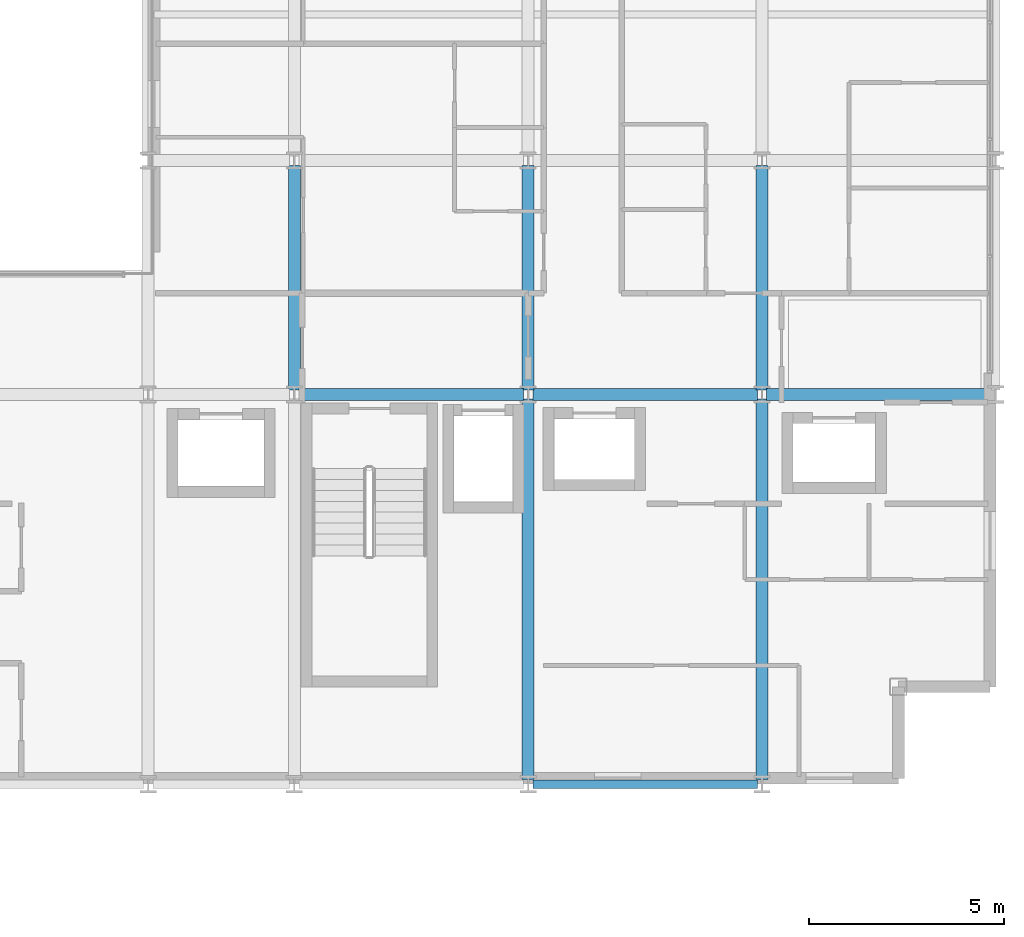
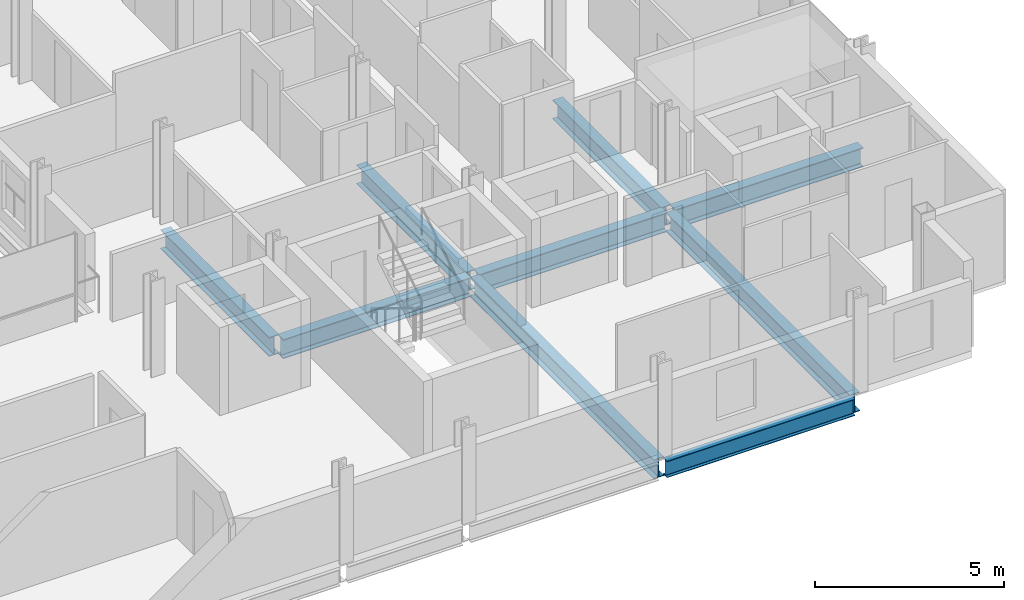
# One storey, part 14 of 41: 9 beams.
"""IFC4 building model written with IfcOpenShell, lengths in metres."""

from ifc_helpers import new_model, si_unit, direction, frame, origin, origin_2d, place, context, subcontext, project, spatial, i_section, extrude, material, material_profile, profile_set, type_object, element, save


model = new_model("IFC4")

# Units and contexts
model_context = context("Model", 3, precision=1e-05, world=origin(), true_north=direction((0.0, 1.0)))
body_context = subcontext(model_context, "Body", "Model", "MODEL_VIEW")
ifc_project = project(units=[si_unit("LENGTHUNIT", "METRE"), si_unit("AREAUNIT", "SQUARE_METRE"), si_unit("VOLUMEUNIT", "CUBIC_METRE"), si_unit("PLANEANGLEUNIT", "RADIAN"), si_unit("MASSUNIT", "GRAM", prefix="KILO")], contexts=[model_context])

# Site, building, storey
site_placement = place(None, origin())
site = spatial("IfcSite", under=ifc_project, at=site_placement, CompositionType="ELEMENT")
building_placement = place(site_placement, origin())
building = spatial("IfcBuilding", under=site, at=building_placement, Name="Brevholm Reach", CompositionType="ELEMENT")
storey_placement = place(building_placement, frame((0.0, 0.0, 93.10009765625)))
storey = spatial("IfcBuildingStorey", under=building, at=storey_placement, Name="L27", CompositionType="ELEMENT", Elevation=93.10009765625)

# Beams
ifc_material_1 = material(Name="Structural Steel S355J2", Category="steel")
ifc_material_profile_1 = material_profile(ifc_material_1, i_section(OverallWidth=0.210693359375, OverallDepth=0.53955078125, WebThickness=0.01171875, FlangeThickness=0.018798828125, FilletRadius=0.0126953125, at=origin_2d()), Name="UKB 533x210x109")
ifc_profile_set_1 = profile_set([ifc_material_profile_1], Name="Structural Steel S355J2")
beam_type_1 = type_object("IfcBeamType", Name="BM-SP539", PredefinedType="SPANDREL", material=ifc_profile_set_1)
beam_1_placement = place(storey_placement, frame((48.1201171875, 0.0, -0.499755859375), z_axis=(1.0, 0.0, 0.0), x_axis=(0.0, 1.0, 0.0)))
element("IfcBeam", 1, at=beam_1_placement, inside=storey, type_object=beam_type_1, Name="L27 SP-01B Framing Beam", PredefinedType="SPANDREL", context=body_context, shape_type="SweptSolid", body=[
    extrude(i_section(OverallWidth=0.210693359375, OverallDepth=0.53955078125, WebThickness=0.01171875, FlangeThickness=0.018798828125, FilletRadius=0.0126953125, at=origin_2d()), origin(), (0.0, 0.0, 1.0), 5.759765625),
])
ifc_material_2 = material(Name="Structural Steel S355J2", Category="steel")
ifc_material_profile_2 = material_profile(ifc_material_2, i_section(OverallWidth=0.30712890625, OverallDepth=0.6201171875, WebThickness=0.01416015625, FlangeThickness=0.023681640625, FilletRadius=0.0166015625, at=origin_2d()), Name="UKB 610x305x179")
ifc_profile_set_2 = profile_set([ifc_material_profile_2], Name="Structural Steel S355J2")
beam_type_2 = type_object("IfcBeamType", Name="BM-UKB610H", PredefinedType="USERDEFINED", material=ifc_profile_set_2)
for number, where, z_axis, x_axis, name in (
    (2, (42.1201171875, 10.0, -0.540283203125), (1.0, 0.0, 0.0), (0.0, 1.0, 0.0), "L27 G-06 Framing Beam"),
    (3, (48.1201171875, 10.0, -0.540283203125), (1.0, 0.0, 0.0), (0.0, 1.0, 0.0), "L27 G-06 Framing Beam"),
    (4, (54.1201171875, 10.0, -0.540283203125), (1.0, 0.0, 0.0), (0.0, 1.0, 0.0), "L27 G-06 Framing Beam"),
    (5, (42.0, 10.1201171875, -0.540283203125), (0.0, 1.0, 0.0), (-1.0, 0.0, 0.0), "L27 G-06 Framing Beam"),
):
    element("IfcBeam", number, at=place(storey_placement, frame(where, z_axis=z_axis, x_axis=x_axis)), inside=storey, type_object=beam_type_2, Name=name, ObjectType="GIRDER", PredefinedType="USERDEFINED", context=body_context, shape_type="SweptSolid", body=[
        extrude(i_section(OverallWidth=0.30712890625, OverallDepth=0.6201171875, WebThickness=0.01416015625, FlangeThickness=0.023681640625, FilletRadius=0.0166015625, at=origin_2d()), origin(), (0.0, 0.0, 1.0), 5.759765625),
    ])
beam_2_placement = place(storey_placement, frame((48.0, 0.1201171875, -0.540283203125), z_axis=(0.0, 1.0, 0.0), x_axis=(-1.0, 0.0, 0.0)))
element("IfcBeam", 6, at=beam_2_placement, inside=storey, type_object=beam_type_2, Name="L27 G-06 Framing Beam", ObjectType="GIRDER", PredefinedType="USERDEFINED", context=body_context, shape_type="SweptSolid", body=[
    extrude(i_section(OverallWidth=0.30712890625, OverallDepth=0.6201171875, WebThickness=0.01416015625, FlangeThickness=0.023681640625, FilletRadius=0.0166015625, at=origin_2d()), origin(), (0.0, 0.0, 1.0), 9.759765625),
])
beam_3_placement = place(storey_placement, frame((48.0, 10.1201171875, -0.540283203125), z_axis=(0.0, 1.0, 0.0), x_axis=(-1.0, 0.0, 0.0)))
element("IfcBeam", 7, at=beam_3_placement, inside=storey, type_object=beam_type_2, Name="L27 G-06 Framing Beam", ObjectType="GIRDER", PredefinedType="USERDEFINED", context=body_context, shape_type="SweptSolid", body=[
    extrude(i_section(OverallWidth=0.30712890625, OverallDepth=0.6201171875, WebThickness=0.01416015625, FlangeThickness=0.023681640625, FilletRadius=0.0166015625, at=origin_2d()), origin(), (0.0, 0.0, 1.0), 5.759765625),
])
beam_4_placement = place(storey_placement, frame((54.0, 0.1201171875, -0.540283203125), z_axis=(0.0, 1.0, 0.0), x_axis=(-1.0, 0.0, 0.0)))
element("IfcBeam", 8, at=beam_4_placement, inside=storey, type_object=beam_type_2, Name="L27 G-06 Framing Beam", ObjectType="GIRDER", PredefinedType="USERDEFINED", context=body_context, shape_type="SweptSolid", body=[
    extrude(i_section(OverallWidth=0.30712890625, OverallDepth=0.6201171875, WebThickness=0.01416015625, FlangeThickness=0.023681640625, FilletRadius=0.0166015625, at=origin_2d()), origin(), (0.0, 0.0, 1.0), 9.759765625),
])
beam_5_placement = place(storey_placement, frame((54.0, 10.1201171875, -0.540283203125), z_axis=(0.0, 1.0, 0.0), x_axis=(-1.0, 0.0, 0.0)))
element("IfcBeam", 9, at=beam_5_placement, inside=storey, type_object=beam_type_2, Name="L27 G-06 Framing Beam", ObjectType="GIRDER", PredefinedType="USERDEFINED", context=body_context, shape_type="SweptSolid", body=[
    extrude(i_section(OverallWidth=0.30712890625, OverallDepth=0.6201171875, WebThickness=0.01416015625, FlangeThickness=0.023681640625, FilletRadius=0.0166015625, at=origin_2d()), origin(), (0.0, 0.0, 1.0), 5.759765625),
])

save(model, "model.ifc")
